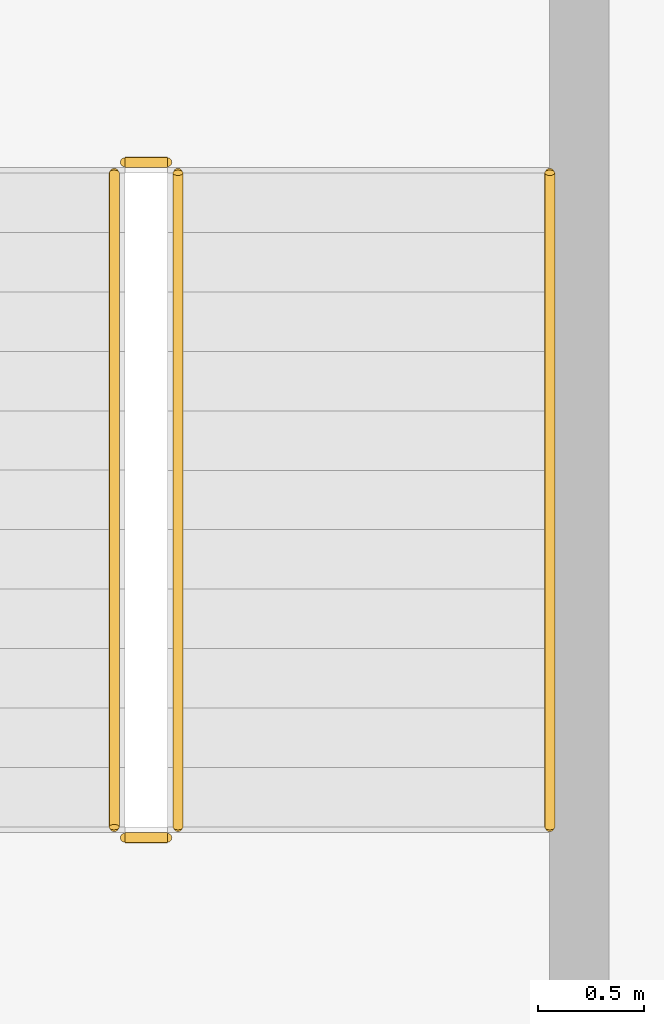
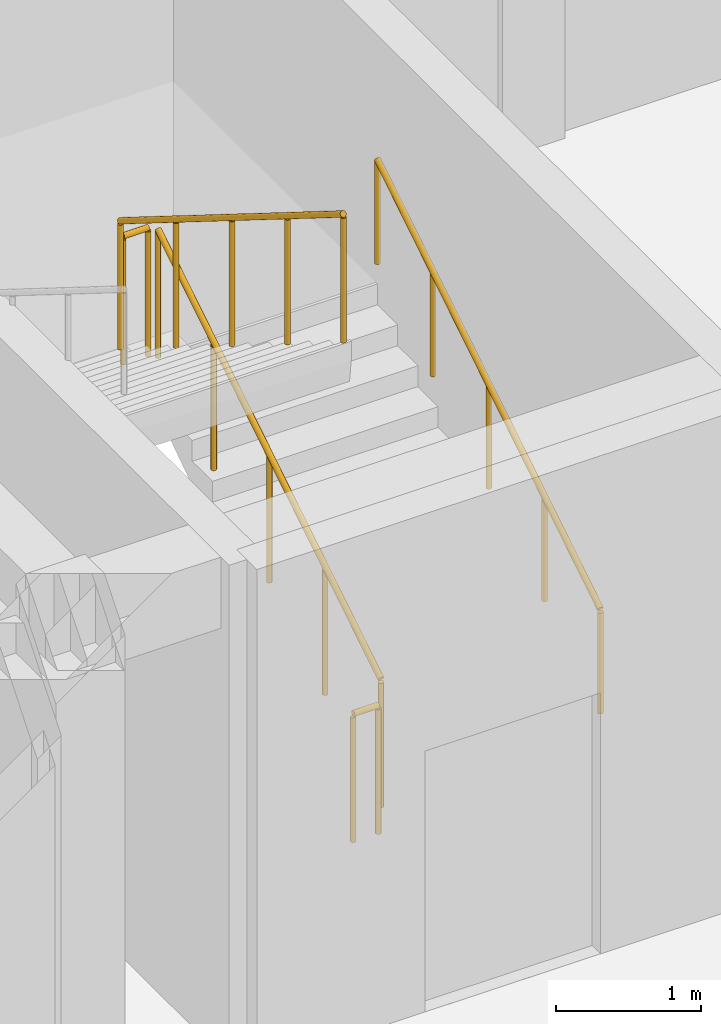
# One storey, part 23 of 28: 5 railings.
"""IFC4 building model written with IfcOpenShell, lengths in metres."""

import ifcopenshell
import ifcopenshell.guid

model = None  # the IFC model being written
_history = None  # IfcOwnerHistory: only IFC2X3 demands one
_inside = {}  # id of a spatial element -> (the spatial element, [elements in it])
_under = {}  # id of a project, library or spatial element -> (it, [spatial elements below it])
_declared = {}  # id of a project -> (the project, [libraries it declares])
_typed = {}  # id of a type object -> (the type object, [elements of that type])
_made_of = {}  # id of a material, layer set ... -> (it, [elements and type objects made of it])


def new_model(schema):
    """Start an empty IFC model of exactly this schema.

    Asked for "IFC4X3", IfcOpenShell would pick the latest addendum, in which some entities
    have other attributes; the version numbers below select the first issue.
    IFC2X3 requires an IfcOwnerHistory on every rooted entity: one is made here for all.
    """
    global model, _history
    if schema == "IFC4X3":
        model = ifcopenshell.file(schema_version=(4, 3, 0, 0))
    else:
        model = ifcopenshell.file(schema=schema)
    _inside.clear()
    _under.clear()
    _declared.clear()
    _typed.clear()
    _made_of.clear()
    _history = None
    if model.schema == "IFC2X3":
        org = make("IfcOrganization", Name="unknown")
        user = make(
            "IfcPersonAndOrganization",
            ThePerson=make("IfcPerson", FamilyName="unknown"),
            TheOrganization=org,
        )
        app = make(
            "IfcApplication",
            ApplicationDeveloper=org,
            Version="unknown",
            ApplicationFullName="unknown",
            ApplicationIdentifier="unknown",
        )
        _history = make(
            "IfcOwnerHistory",
            OwningUser=user,
            OwningApplication=app,
            ChangeAction="ADDED",
            CreationDate=0,
        )
    return model


def make(cls, **values):
    """One entity of the class cls with the attributes given. An attribute that is None is left unset."""
    return model.create_entity(
        cls, **{name: value for name, value in values.items() if value is not None}
    )


def rooted(cls, **values):
    """An entity with a GlobalId (a new one), such as an element, a storey or a relation."""
    return make(cls, GlobalId=ifcopenshell.guid.new(), OwnerHistory=_history, **values)


def si_unit(unit_type, name, prefix=None):
    """IfcSIUnit, for example si_unit("LENGTHUNIT", "METRE", prefix="MILLI")."""
    return make("IfcSIUnit", UnitType=unit_type, Prefix=prefix, Name=name)


def assignment(units):
    """IfcUnitAssignment: the units of a project."""
    return None if units is None else make("IfcUnitAssignment", Units=units)


def point(xyz):
    """IfcCartesianPoint."""
    return None if xyz is None else make("IfcCartesianPoint", Coordinates=xyz)


def direction(xyz):
    """IfcDirection."""
    return None if xyz is None else make("IfcDirection", DirectionRatios=xyz)


def frame(location, z_axis=None, x_axis=None):
    """IfcAxis2Placement3D, a coordinate frame: its origin and axes. An axis left out is left unset."""
    return make(
        "IfcAxis2Placement3D",
        Location=point(location),
        Axis=direction(z_axis),
        RefDirection=direction(x_axis),
    )


def frame_2d(location, x_axis=None):
    """IfcAxis2Placement2D, a coordinate frame in the plane: its origin and x axis."""
    return make(
        "IfcAxis2Placement2D", Location=point(location), RefDirection=direction(x_axis)
    )


def origin():
    """The frame at (0, 0, 0) with its axes left unset."""
    return frame((0.0, 0.0, 0.0))


def origin_2d():
    """The frame at (0, 0) in the plane with its x axis left unset."""
    return frame_2d((0.0, 0.0))


def place(relative_to, where):
    """IfcLocalPlacement: puts the frame where relative to a parent placement (None: the world)."""
    return make(
        "IfcLocalPlacement", PlacementRelTo=relative_to, RelativePlacement=where
    )


def context(
    kind, dimensions, precision=None, world=None, true_north=None, identifier=None
):
    """IfcGeometricRepresentationContext, for example the 3D "Model" context."""
    return make(
        "IfcGeometricRepresentationContext",
        ContextIdentifier=identifier,
        ContextType=kind,
        CoordinateSpaceDimension=dimensions,
        Precision=precision,
        WorldCoordinateSystem=world,
        TrueNorth=true_north,
    )


def subcontext(parent, identifier, kind, view, scale=None):
    """IfcGeometricRepresentationSubContext, for example "Body" below "Model"."""
    return make(
        "IfcGeometricRepresentationSubContext",
        ContextIdentifier=identifier,
        ContextType=kind,
        ParentContext=parent,
        TargetScale=scale,
        TargetView=view,
    )


def project(units=None, contexts=None):
    """IfcProject with its units and contexts."""
    return rooted(
        "IfcProject",
        Name="project",
        RepresentationContexts=contexts,
        UnitsInContext=assignment(units),
    )


def spatial(cls, under=None, at=None, **own):
    """A site, building, storey or space (cls), placed at a placement, below another one or the project."""
    s = rooted(cls, ObjectPlacement=at, **own)
    if under is not None:
        _under.setdefault(under.id(), (under, []))[1].append(s)
    return s


def profile(cls, at=None, kind="AREA", **sizes):
    """A parametric profile (cls). Its sizes go by their IFC names, for example OverallWidth=200.0."""
    return make(cls, ProfileType=kind, Position=at, **sizes)


def circle(**sizes):
    """IfcCircleProfileDef."""
    return profile("IfcCircleProfileDef", **sizes)


def extrude(swept, where, along, depth):
    """IfcExtrudedAreaSolid: the profile swept, set in the frame where, extruded along a direction by depth."""
    return make(
        "IfcExtrudedAreaSolid",
        SweptArea=swept,
        Position=where,
        ExtrudedDirection=direction(along),
        Depth=depth,
    )


def shape(context_of_items, identifier, shape_type, items):
    """IfcShapeRepresentation: the items that make up one representation, for example the "Body"."""
    return make(
        "IfcShapeRepresentation",
        ContextOfItems=context_of_items,
        RepresentationIdentifier=identifier,
        RepresentationType=shape_type,
        Items=items,
    )


def material(Name=None, Category=None):
    """IfcMaterial."""
    return make("IfcMaterial", Name=Name, Category=Category)


def made_of(thing, what):
    """Note that an element or type object is made of a material, layer set ...; save() writes the relation."""
    if what is not None:
        _made_of.setdefault(what.id(), (what, []))[1].append(thing)
    return thing


def type_object(cls, material=None, **own):
    """A type object (cls), such as IfcWallType, which elements share."""
    return made_of(rooted(cls, **own), material)


def element(
    cls,
    number,
    at=None,
    inside=None,
    cuts=None,
    type_object=None,
    material=None,
    context=None,
    identifier="Body",
    shape_type=None,
    held_by="IfcProductDefinitionShape",
    body=None,
    shapes=None,
    **own,
):
    """One element of the class cls, such as IfcWall. Its Tag is "e" and its number.

    at: its placement. inside: the storey or other place that contains it. cuts: it is an
    opening in that element (IfcRelVoidsElement). A single representation is given by context,
    identifier, shape_type and body (its items); several are given by shapes. held_by: the class
    of the entity that holds the representations. save() writes the other relations.
    """
    e = rooted(cls, Tag="e%d" % number, ObjectPlacement=at, **own)
    if body is not None:
        shapes = [shape(context, identifier, shape_type, body)]
    if shapes is not None:
        e.Representation = make(held_by, Representations=shapes)
    if inside is not None:
        _inside.setdefault(inside.id(), (inside, []))[1].append(e)
    if cuts is not None:
        rooted(
            "IfcRelVoidsElement", RelatingBuildingElement=cuts, RelatedOpeningElement=e
        )
    if type_object is not None:
        _typed.setdefault(type_object.id(), (type_object, []))[1].append(e)
    return made_of(e, material)


def aggregate(whole, parts):
    """IfcRelAggregates: a whole, such as a stair, and the parts it consists of."""
    return rooted("IfcRelAggregates", RelatingObject=whole, RelatedObjects=parts)


def save(model, path):
    """Write the relations noted so far, then the file.

    IfcRelAggregates (storeys below a building ...), IfcRelContainedInSpatialStructure (elements
    in a storey), IfcRelDefinesByType, IfcRelAssociatesMaterial and IfcRelDeclares: one each for
    every whole, place, type object, material and project.
    """
    for whole, parts in _under.values():
        aggregate(whole, parts)
    for where, things in _inside.values():
        rooted(
            "IfcRelContainedInSpatialStructure",
            RelatedElements=things,
            RelatingStructure=where,
        )
    for kind, things in _typed.values():
        rooted("IfcRelDefinesByType", RelatedObjects=things, RelatingType=kind)
    for what, things in _made_of.values():
        rooted("IfcRelAssociatesMaterial", RelatedObjects=things, RelatingMaterial=what)
    for by, libraries in _declared.values():
        rooted("IfcRelDeclares", RelatingContext=by, RelatedDefinitions=libraries)
    model.write(path)


model = new_model("IFC4")

# Units and contexts
model_context = context("Model", 3, precision=1e-05, world=origin(), true_north=direction((0.0, 1.0)))
body_context = subcontext(model_context, "Body", "Model", "MODEL_VIEW")
ifc_project = project(units=[si_unit("LENGTHUNIT", "METRE"), si_unit("AREAUNIT", "SQUARE_METRE"), si_unit("VOLUMEUNIT", "CUBIC_METRE"), si_unit("PLANEANGLEUNIT", "RADIAN"), si_unit("MASSUNIT", "GRAM", prefix="KILO")], contexts=[model_context])

# Site, building, storey
site_placement = place(None, origin())
site = spatial("IfcSite", under=ifc_project, at=site_placement, CompositionType="ELEMENT")
building_placement = place(site_placement, origin())
building = spatial("IfcBuilding", under=site, at=building_placement, Name="Varncliffe General Hospital", CompositionType="ELEMENT")
storey_placement = place(building_placement, frame((0.0, 0.0, 24.60009765625)))
storey = spatial("IfcBuildingStorey", under=building, at=storey_placement, Name="L05", CompositionType="ELEMENT", Elevation=24.60009765625)

# Railings
ifc_material = material(Name="Powder-coated hospital steel guardrail and handrail", Category="steel")
railing_type_1 = type_object("IfcRailingType", Name="Stair and Ramp Handrail HR46", PredefinedType="HANDRAIL", material=ifc_material)
railing_1_placement = place(storey_placement, frame((13.550048828125, 118.0, 0.35400390625)))
element("IfcRailing", 1, at=railing_1_placement, inside=storey, type_object=railing_type_1, Name="L05 ST01 stair handrail 1", PredefinedType="HANDRAIL", context=body_context, shape_type="SweptSolid", body=[
    extrude(circle(Radius=0.02392578125, at=origin_2d()), frame((0.0, 0.0, 0.8759765625), z_axis=(0.0, 0.848028513186, 0.529950602248), x_axis=(-1.0, 0.0, 0.0)), (0.0, 0.0, 1.0), 3.632080078125),
    extrude(circle(Radius=0.02099609375, at=origin_2d()), origin(), (0.0, 0.0, 1.0), 0.851806640625),
    extrude(circle(Radius=0.02099609375, at=origin_2d()), frame((0.0, 0.77001953125, 0.481201171875)), (0.0, 0.0, 1.0), 0.851806640625),
    extrude(circle(Radius=0.02099609375, at=origin_2d()), frame((0.0, 1.5400390625, 0.96240234375)), (0.0, 0.0, 1.0), 0.851806640625),
    extrude(circle(Radius=0.02099609375, at=origin_2d()), frame((0.0, 2.31005859375, 1.443603515625)), (0.0, 0.0, 1.0), 0.851806640625),
    extrude(circle(Radius=0.02099609375, at=origin_2d()), frame((0.0, 3.080078125, 1.9248046875)), (0.0, 0.0, 1.0), 0.851806640625),
])
railing_type_2 = type_object("IfcRailingType", Name="Stairwell Guardrail SG49", PredefinedType="GUARDRAIL", material=ifc_material)
railing_2_placement = place(storey_placement, frame((11.800048828125, 118.0, 0.1748046875)))
element("IfcRailing", 2, at=railing_2_placement, inside=storey, type_object=railing_type_2, Name="L05 ST01 stair guard 1", PredefinedType="GUARDRAIL", context=body_context, shape_type="SweptSolid", body=[
    extrude(circle(Radius=0.02392578125, at=origin_2d()), frame((0.0, 0.0, 1.076171875), z_axis=(0.0, 0.847998304005, 0.529998940003), x_axis=(-1.0, 0.0, 0.0)), (0.0, 0.0, 1.0), 3.632080078125),
    extrude(circle(Radius=0.02099609375, at=origin_2d()), origin(), (0.0, 0.0, 1.0), 1.052001953125),
    extrude(circle(Radius=0.02099609375, at=origin_2d()), frame((0.0, 0.77001953125, 0.481201171875)), (0.0, 0.0, 1.0), 1.052001953125),
    extrude(circle(Radius=0.02099609375, at=origin_2d()), frame((0.0, 1.5400390625, 0.96240234375)), (0.0, 0.0, 1.0), 1.052001953125),
    extrude(circle(Radius=0.02099609375, at=origin_2d()), frame((0.0, 2.31005859375, 1.44384765625)), (0.0, 0.0, 1.0), 1.052001953125),
    extrude(circle(Radius=0.02099609375, at=origin_2d()), frame((0.0, 3.080078125, 1.925048828125)), (0.0, 0.0, 1.0), 1.052001953125),
])
railing_3_placement = place(storey_placement, frame((11.75, 121.1298828125, 2.099853515625)))
element("IfcRailing", 3, at=railing_3_placement, inside=storey, type_object=railing_type_2, Name="L05 ST01 stair guard 2", PredefinedType="GUARDRAIL", context=body_context, shape_type="SweptSolid", body=[
    extrude(circle(Radius=0.02392578125, at=origin_2d()), frame((0.0, 0.0, 1.076171875), z_axis=(-1.0, 0.0, 0.0), x_axis=(0.0, -1.0, 0.0)), (0.0, 0.0, 1.0), 0.199951171875),
    extrude(circle(Radius=0.02099609375, at=origin_2d()), origin(), (0.0, 0.0, 1.0), 1.052001953125),
    extrude(circle(Radius=0.02099609375, at=origin_2d()), frame((-0.199951171875, 0.0, 0.0)), (0.0, 0.0, 1.0), 1.052001953125),
])
railing_4_placement = place(storey_placement, frame((11.5, 121.080078125, 2.27490234375)))
element("IfcRailing", 4, at=railing_4_placement, inside=storey, type_object=railing_type_2, Name="L05 ST01 stair guard 3", PredefinedType="GUARDRAIL", context=body_context, shape_type="SweptSolid", body=[
    extrude(circle(Radius=0.02392578125, at=origin_2d()), frame((0.0, 0.0, 1.076171875), z_axis=(0.0, -0.847998304005, 0.529998940003), x_axis=(1.0, 0.0, 0.0)), (0.0, 0.0, 1.0), 3.632080078125),
    extrude(circle(Radius=0.02099609375, at=origin_2d()), origin(), (0.0, 0.0, 1.0), 1.052001953125),
    extrude(circle(Radius=0.02099609375, at=origin_2d()), frame((0.0, -0.77001953125, 0.481201171875)), (0.0, 0.0, 1.0), 1.052001953125),
    extrude(circle(Radius=0.02099609375, at=origin_2d()), frame((0.0, -1.5400390625, 0.96240234375)), (0.0, 0.0, 1.0), 1.052001953125),
    extrude(circle(Radius=0.02099609375, at=origin_2d()), frame((0.0, -2.31005859375, 1.44384765625)), (0.0, 0.0, 1.0), 1.052001953125),
    extrude(circle(Radius=0.02099609375, at=origin_2d()), frame((0.0, -3.080078125, 1.925048828125)), (0.0, 0.0, 1.0), 1.052001953125),
])
railing_5_placement = place(storey_placement, frame((11.75, 117.949951171875, 0.0)))
element("IfcRailing", 5, at=railing_5_placement, inside=storey, type_object=railing_type_2, Name="L05 ST01 stair guard 4", PredefinedType="GUARDRAIL", context=body_context, shape_type="SweptSolid", body=[
    extrude(circle(Radius=0.02392578125, at=origin_2d()), frame((0.0, 0.0, 1.076171875), z_axis=(-1.0, 0.0, 0.0), x_axis=(0.0, -1.0, 0.0)), (0.0, 0.0, 1.0), 0.199951171875),
    extrude(circle(Radius=0.02099609375, at=origin_2d()), origin(), (0.0, 0.0, 1.0), 1.052001953125),
    extrude(circle(Radius=0.02099609375, at=origin_2d()), frame((-0.199951171875, 0.0, 0.0)), (0.0, 0.0, 1.0), 1.052001953125),
])

save(model, "model.ifc")
